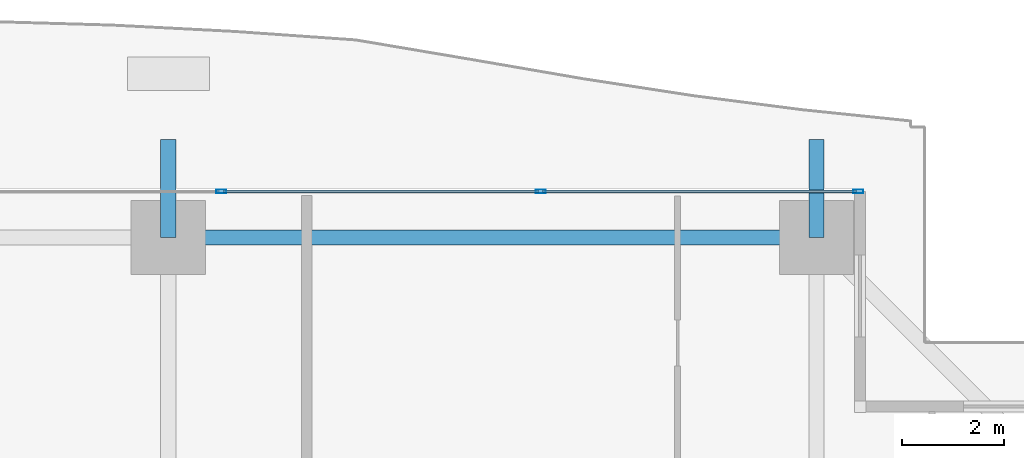
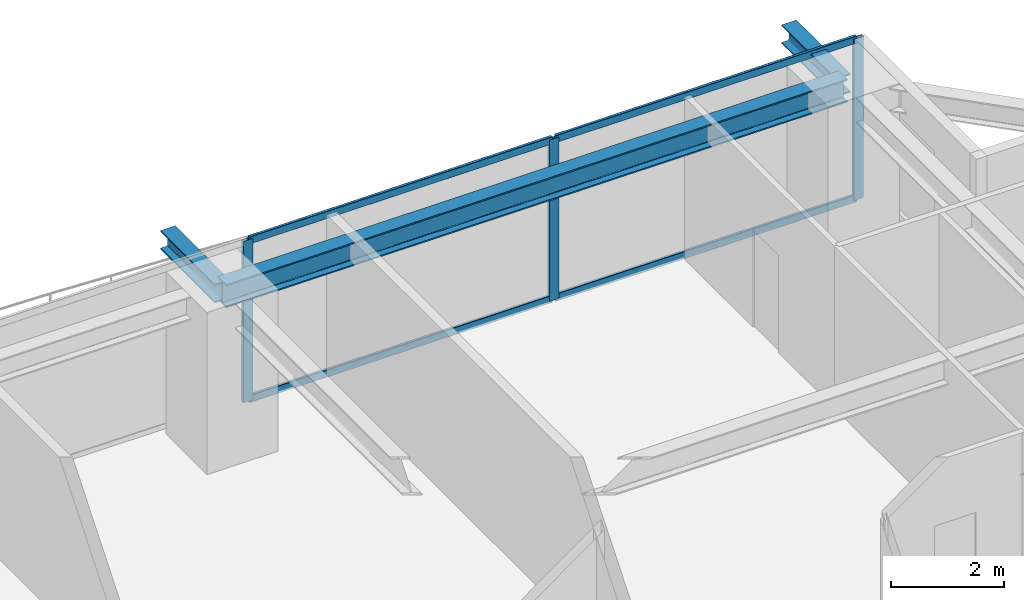
# One storey, part 20 of 34: 7 members, 3 beams, 1 element without a shape of its own.
"""IFC4 building model written with IfcOpenShell, lengths in metres."""

from ifc_helpers import new_model, si_unit, direction, frame, origin, origin_2d, place, context, subcontext, project, spatial, hollow_rectangle, i_section, extrude, source, transform, mapped, material, layer, layer_set, material_profile, profile_set, type_object, element, aggregate, save


model = new_model("IFC4")

# Units and contexts
model_context = context("Model", 3, precision=1e-05, world=origin(), true_north=direction((0.0, 1.0)))
body_context = subcontext(model_context, "Body", "Model", "MODEL_VIEW")
ifc_project = project(units=[si_unit("LENGTHUNIT", "METRE"), si_unit("AREAUNIT", "SQUARE_METRE"), si_unit("VOLUMEUNIT", "CUBIC_METRE"), si_unit("PLANEANGLEUNIT", "RADIAN"), si_unit("MASSUNIT", "GRAM", prefix="KILO")], contexts=[model_context])

# Site, building, storey
site_placement = place(None, origin())
site = spatial("IfcSite", under=ifc_project, at=site_placement, CompositionType="ELEMENT")
building_placement = place(site_placement, origin())
building = spatial("IfcBuilding", under=site, at=building_placement, Name="Serunith Strait Residences", CompositionType="ELEMENT")
storey_placement = place(building_placement, frame((0.0, 0.0, 101.699951171875)))
storey = spatial("IfcBuildingStorey", under=building, at=storey_placement, Name="L25", CompositionType="ELEMENT", Elevation=101.699951171875)

# Beams
ifc_material_1 = material(Name="Steel S355J2", Category="steel")
ifc_material_profile_1 = material_profile(ifc_material_1, i_section(OverallWidth=0.300048828125, OverallDepth=0.5, WebThickness=0.014404296875, FlangeThickness=0.028076171875, FilletRadius=0.027099609375, at=origin_2d()), Name="HEB 500")
ifc_profile_set_1 = profile_set([ifc_material_profile_1], Name="Steel S355J2")
beam_type_1 = type_object("IfcBeamType", Name="BM-HEB500", PredefinedType="BEAM", material=ifc_profile_set_1)
shared_shape_1 = source(origin(), body_context, "Body", "SweptSolid", [
    extrude(i_section(OverallWidth=0.300048828125, OverallDepth=0.5, WebThickness=0.014404296875, FlangeThickness=0.028076171875, FilletRadius=0.027099609375, at=origin_2d()), origin(), (0.0, 0.0, 1.0), 12.650146484375),
])
beam_placement = place(storey_placement, frame((49.550048828125, 49.300048828125, 3.237060546875), z_axis=(-1.0, 0.0, 0.0), x_axis=(0.0, -1.0, 0.0)))
element("IfcBeam", 1, at=beam_placement, inside=storey, type_object=beam_type_1, Name="L25 Perimeter Ring Beam 09", PredefinedType="BEAM", context=body_context, shape_type="MappedRepresentation", body=[
    mapped(shared_shape_1, transform((0.0, 0.0, 0.0), scale=1.0)),
])
ifc_material_profile_2 = material_profile(ifc_material_1, i_section(OverallWidth=0.300048828125, OverallDepth=0.39990234375, WebThickness=0.013427734375, FlangeThickness=0.02392578125, FilletRadius=0.027099609375, at=origin_2d()), Name="HEB 400")
ifc_profile_set_2 = profile_set([ifc_material_profile_2], Name="Steel S355J2")
beam_type_2 = type_object("IfcBeamType", Name="BM-HEB400", PredefinedType="BEAM", material=ifc_profile_set_2)
shared_shape_2 = source(origin(), body_context, "Body", "SweptSolid", [
    extrude(i_section(OverallWidth=0.300048828125, OverallDepth=0.39990234375, WebThickness=0.013427734375, FlangeThickness=0.02392578125, FilletRadius=0.027099609375, at=origin_2d()), origin(), (0.0, 0.0, 1.0), 1.909912109375),
])
for number, where, z_axis, x_axis, name in (
    (2, (36.89990234375, 49.300048828125, 3.257080078125), (0.0, 1.0, 0.0), (-1.0, 0.0, 0.0), "L26 Cantilevered Balcony Rib TC-N3"),
    (3, (49.550048828125, 49.300048828125, 3.257080078125), (0.0, 1.0, 0.0), (-1.0, 0.0, 0.0), "L26 Cantilevered Balcony Rib TC-N4"),
):
    element("IfcBeam", number, at=place(storey_placement, frame(where, z_axis=z_axis, x_axis=x_axis)), inside=storey, type_object=beam_type_2, Name=name, PredefinedType="BEAM", context=body_context, shape_type="MappedRepresentation", body=[
        mapped(shared_shape_2, transform((0.0, 0.0, 0.0), scale=1.0)),
    ])

# Curtain wall, members
ifc_material_2 = material(Name="Pale-Champagne Anodised Aluminium", Category="aluminium")
ifc_layer = layer(ifc_material_2, 0.199951171875, Name="Pale-Champagne Anodised Aluminium")
ifc_layer_set = layer_set([ifc_layer], Name="Pale-Champagne Anodised Aluminium")
curtain_wall_type = type_object("IfcCurtainWallType", Name="CW-SYS1", PredefinedType="NOTDEFINED", material=ifc_layer_set)
curtain_wall_placement = place(storey_placement, origin())
curtain_wall = element("IfcCurtainWall", 4, at=curtain_wall_placement, inside=storey, type_object=curtain_wall_type, Name="L25 N Unitised Fritted Curtain Wall", PredefinedType="NOTDEFINED")
ifc_material_profile_3 = material_profile(ifc_material_2, hollow_rectangle(XDim=0.070068359375, YDim=0.199951171875, WallThickness=0.00390625, InnerFilletRadius=0.006103515625, OuterFilletRadius=0.010009765625, at=origin_2d()), Name="ALU 200x70x4")
ifc_profile_set_3 = profile_set([ifc_material_profile_3], Name="Pale-Champagne Anodised Aluminium")
member_type_1 = type_object("IfcMemberType", Name="CW-SYS1-MULL", PredefinedType="MULLION", material=ifc_profile_set_3)
shared_shape_3 = source(origin(), body_context, "Body", "SweptSolid", [
    extrude(hollow_rectangle(XDim=0.070068359375, YDim=0.199951171875, WallThickness=0.00390625, InnerFilletRadius=0.006103515625, OuterFilletRadius=0.010009765625, at=origin_2d()), origin(), (0.0, 0.0, 1.0), 3.47509765625),
])
member_1_placement = place(storey_placement, frame((50.364990234375, 50.199951171875, 0.0), z_axis=(0.0, 0.0, 1.0), x_axis=(0.0, -1.0, 0.0)))
member_1 = element("IfcMember", 5, at=member_1_placement, type_object=member_type_1, Name="CW-1 mullion 1", PredefinedType="MULLION", context=body_context, shape_type="MappedRepresentation", body=[
    mapped(shared_shape_3, transform((0.0, 0.0, 0.0), scale=1.0)),
])
member_2_placement = place(storey_placement, frame((44.166748046875, 50.199951171875, 0.0), z_axis=(0.0, 0.0, 1.0), x_axis=(0.0, -1.0, 0.0)))
member_2 = element("IfcMember", 6, at=member_2_placement, type_object=member_type_1, Name="CW-1 mullion 2", PredefinedType="MULLION", context=body_context, shape_type="MappedRepresentation", body=[
    mapped(shared_shape_3, transform((0.0, 0.0, 0.0), scale=1.0)),
])
member_3_placement = place(storey_placement, frame((37.933349609375, 50.199951171875, 0.0), z_axis=(0.0, 0.0, 1.0), x_axis=(0.0, -1.0, 0.0)))
member_3 = element("IfcMember", 7, at=member_3_placement, type_object=member_type_1, Name="CW-1 mullion 3", PredefinedType="MULLION", context=body_context, shape_type="MappedRepresentation", body=[
    mapped(shared_shape_3, transform((0.0, 0.0, 0.0), scale=1.0)),
])
ifc_material_profile_4 = material_profile(ifc_material_2, hollow_rectangle(XDim=0.06005859375, YDim=0.159912109375, WallThickness=0.00341796875, InnerFilletRadius=0.00537109375, OuterFilletRadius=0.0087890625, at=origin_2d()), Name="ALU 160x60x3.5")
ifc_profile_set_4 = profile_set([ifc_material_profile_4], Name="Pale-Champagne Anodised Aluminium")
member_type_2 = type_object("IfcMemberType", Name="CW-SYS1-TRAN", PredefinedType="USERDEFINED", material=ifc_profile_set_4)
shared_shape_4 = source(origin(), body_context, "Body", "SweptSolid", [
    extrude(hollow_rectangle(XDim=0.06005859375, YDim=0.159912109375, WallThickness=0.00341796875, InnerFilletRadius=0.00537109375, OuterFilletRadius=0.0087890625, at=origin_2d()), origin(), (0.0, 0.0, 1.0), 6.12841796875),
])
member_4_placement = place(storey_placement, frame((50.330078125, 50.199951171875, 0.030029296875), z_axis=(-1.0, 0.0, 0.0), x_axis=(0.0, -1.0, 0.0)))
member_4 = element("IfcMember", 8, at=member_4_placement, type_object=member_type_2, Name="CW-1 transom 1.1", ObjectType="TRANSOM", PredefinedType="USERDEFINED", context=body_context, shape_type="MappedRepresentation", body=[
    mapped(shared_shape_4, transform((0.0, 0.0, 0.0), scale=1.0)),
])
member_5_placement = place(storey_placement, frame((50.330078125, 50.199951171875, 3.445068359375), z_axis=(-1.0, 0.0, 0.0), x_axis=(0.0, -1.0, 0.0)))
member_5 = element("IfcMember", 9, at=member_5_placement, type_object=member_type_2, Name="CW-1 transom 1.2", ObjectType="TRANSOM", PredefinedType="USERDEFINED", context=body_context, shape_type="MappedRepresentation", body=[
    mapped(shared_shape_4, transform((0.0, 0.0, 0.0), scale=1.0)),
])
shared_shape_5 = source(origin(), body_context, "Body", "SweptSolid", [
    extrude(hollow_rectangle(XDim=0.06005859375, YDim=0.159912109375, WallThickness=0.00341796875, InnerFilletRadius=0.00537109375, OuterFilletRadius=0.0087890625, at=origin_2d()), origin(), (0.0, 0.0, 1.0), 6.163330078125),
])
member_6_placement = place(storey_placement, frame((44.131591796875, 50.199951171875, 0.030029296875), z_axis=(-1.0, 0.0, 0.0), x_axis=(0.0, -1.0, 0.0)))
member_6 = element("IfcMember", 10, at=member_6_placement, type_object=member_type_2, Name="CW-1 transom 2.1", ObjectType="TRANSOM", PredefinedType="USERDEFINED", context=body_context, shape_type="MappedRepresentation", body=[
    mapped(shared_shape_5, transform((0.0, 0.0, 0.0), scale=1.0)),
])
member_7_placement = place(storey_placement, frame((44.131591796875, 50.199951171875, 3.445068359375), z_axis=(-1.0, 0.0, 0.0), x_axis=(0.0, -1.0, 0.0)))
member_7 = element("IfcMember", 11, at=member_7_placement, type_object=member_type_2, Name="CW-1 transom 2.2", ObjectType="TRANSOM", PredefinedType="USERDEFINED", context=body_context, shape_type="MappedRepresentation", body=[
    mapped(shared_shape_5, transform((0.0, 0.0, 0.0), scale=1.0)),
])
aggregate(curtain_wall, [member_1, member_2, member_3, member_4, member_5, member_6, member_7])

save(model, "model.ifc")
